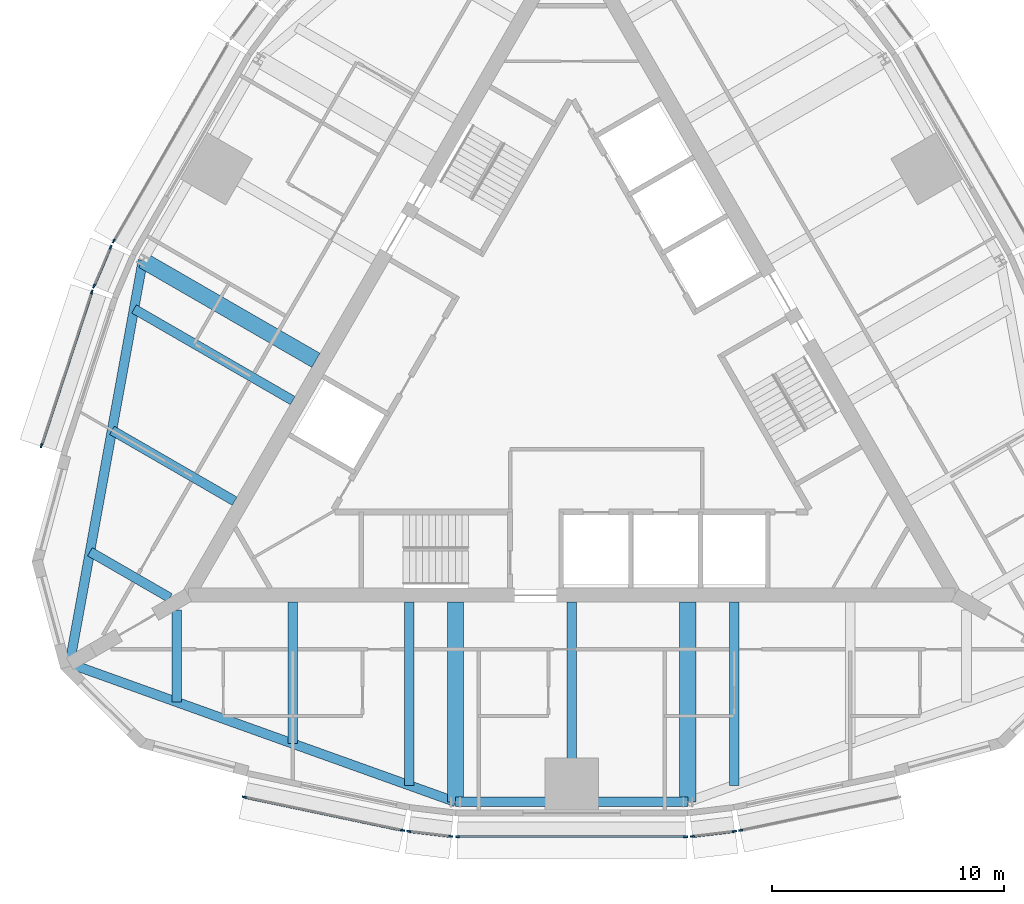
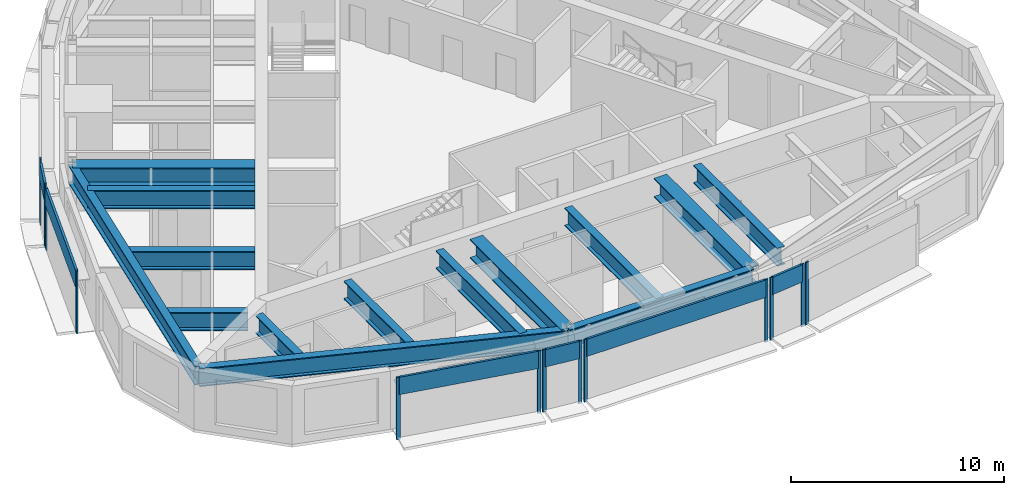
# One storey, part 2 of 12: 20 members, 14 beams, 8 elements without a shape of their own.
"""IFC4 building model written with IfcOpenShell, lengths in metres."""

from ifc_helpers import new_model, si_unit, direction, frame, origin, origin_2d, place, context, subcontext, project, spatial, rectangle, i_section, extrude, material, material_profile, profile_set, type_object, element, aggregate, save


model = new_model("IFC4")

# Units and contexts
model_context = context("Model", 3, precision=1e-05, world=origin(), true_north=direction((0.0, 1.0)))
body_context = subcontext(model_context, "Body", "Model", "MODEL_VIEW")
ifc_project = project(units=[si_unit("LENGTHUNIT", "METRE"), si_unit("AREAUNIT", "SQUARE_METRE"), si_unit("VOLUMEUNIT", "CUBIC_METRE"), si_unit("PLANEANGLEUNIT", "RADIAN"), si_unit("MASSUNIT", "GRAM", prefix="KILO")], contexts=[model_context])

# Site, building, storey
site_placement = place(None, origin())
site = spatial("IfcSite", under=ifc_project, at=site_placement, CompositionType="ELEMENT")
building_placement = place(site_placement, origin())
building = spatial("IfcBuilding", under=site, at=building_placement, Name="Trikona Tower", CompositionType="ELEMENT")
storey_placement = place(building_placement, frame((0.0, 0.0, 271.699951171875)))
storey = spatial("IfcBuildingStorey", under=building, at=storey_placement, Name="L72", CompositionType="ELEMENT", Elevation=271.699951171875)

# Curtain wall, members
ifc_material_1 = material(Name="Aluminium curtain wall system", Category="aluminium")
curtain_wall_type = type_object("IfcCurtainWallType", Name="Curtain wall DS3S", PredefinedType="NOTDEFINED", material=ifc_material_1)
curtain_wall_1_placement = place(storey_placement, origin())
curtain_wall_1 = element("IfcCurtainWall", 1, at=curtain_wall_1_placement, inside=storey, type_object=curtain_wall_type, Name="Curtain wall DS3S L72", PredefinedType="NOTDEFINED")
ifc_material_2 = material(Name="Aluminium mullion, pale anodised", Category="aluminium")
ifc_material_profile_1 = material_profile(ifc_material_2, rectangle(XDim=0.070068359375, YDim=0.179931640625, at=origin_2d()), Name="MUL-DS3S")
ifc_profile_set_1 = profile_set([ifc_material_profile_1], Name="Aluminium mullion, pale anodised")
member_type_1 = type_object("IfcMemberType", Name="Mullion DS3S 70x180", PredefinedType="MULLION", material=ifc_profile_set_1)
member_1_placement = place(storey_placement, frame((-14.092041015625, -18.220703125, 0.0), z_axis=(0.0, 0.0, 1.0), x_axis=(0.205527448396, 0.978651351583, 0.0)))
member_1 = element("IfcMember", 2, at=member_1_placement, type_object=member_type_1, Name="CW-DS3S mullion 1", PredefinedType="MULLION", context=body_context, shape_type="SweptSolid", body=[
    extrude(rectangle(XDim=0.070068359375, YDim=0.179931640625, at=origin_2d()), origin(), (0.0, 0.0, 1.0), 3.60009765625),
])
member_2_placement = place(storey_placement, frame((-7.27783203125, -19.65185546875, 0.0), z_axis=(0.0, 0.0, 1.0), x_axis=(0.205527448396, 0.978651351583, 0.0)))
member_2 = element("IfcMember", 3, at=member_2_placement, type_object=member_type_1, Name="CW-DS3S mullion 2", PredefinedType="MULLION", context=body_context, shape_type="SweptSolid", body=[
    extrude(rectangle(XDim=0.070068359375, YDim=0.179931640625, at=origin_2d()), origin(), (0.0, 0.0, 1.0), 3.60009765625),
])

curtain_wall_2_placement = place(storey_placement, origin())
curtain_wall_2 = element("IfcCurtainWall", 4, at=curtain_wall_2_placement, inside=storey, type_object=curtain_wall_type, Name="Curtain wall DS3S L72", PredefinedType="NOTDEFINED")
member_3_placement = place(storey_placement, frame((-7.012939453125, -19.6953125, 0.0), z_axis=(0.0, 0.0, 1.0), x_axis=(0.119141057581, 0.992877338043, 0.0)))
member_3 = element("IfcMember", 5, at=member_3_placement, type_object=member_type_1, Name="CW-DS3S mullion 1", PredefinedType="MULLION", context=body_context, shape_type="SweptSolid", body=[
    extrude(rectangle(XDim=0.070068359375, YDim=0.179931640625, at=origin_2d()), origin(), (0.0, 0.0, 1.0), 3.60009765625),
])
member_4_placement = place(storey_placement, frame((-5.20166015625, -19.912841796875, 0.0), z_axis=(0.0, 0.0, 1.0), x_axis=(0.119141057581, 0.992877338043, 0.0)))
member_4 = element("IfcMember", 6, at=member_4_placement, type_object=member_type_1, Name="CW-DS3S mullion 2", PredefinedType="MULLION", context=body_context, shape_type="SweptSolid", body=[
    extrude(rectangle(XDim=0.070068359375, YDim=0.179931640625, at=origin_2d()), origin(), (0.0, 0.0, 1.0), 3.60009765625),
])

curtain_wall_3_placement = place(storey_placement, origin())
curtain_wall_3 = element("IfcCurtainWall", 7, at=curtain_wall_3_placement, inside=storey, type_object=curtain_wall_type, Name="Curtain wall DS3S L72", PredefinedType="NOTDEFINED")
member_5_placement = place(storey_placement, frame((-4.905029296875, -19.930419921875, 0.0), z_axis=(0.0, 0.0, 1.0), x_axis=(0.0, 1.0, 0.0)))
member_5 = element("IfcMember", 8, at=member_5_placement, type_object=member_type_1, Name="CW-DS3S mullion 1", PredefinedType="MULLION", context=body_context, shape_type="SweptSolid", body=[
    extrude(rectangle(XDim=0.070068359375, YDim=0.179931640625, at=origin_2d()), origin(), (0.0, 0.0, 1.0), 3.60009765625),
])
member_6_placement = place(storey_placement, frame((4.905029296875, -19.930419921875, 0.0), z_axis=(0.0, 0.0, 1.0), x_axis=(0.0, 1.0, 0.0)))
member_6 = element("IfcMember", 9, at=member_6_placement, type_object=member_type_1, Name="CW-DS3S mullion 2", PredefinedType="MULLION", context=body_context, shape_type="SweptSolid", body=[
    extrude(rectangle(XDim=0.070068359375, YDim=0.179931640625, at=origin_2d()), origin(), (0.0, 0.0, 1.0), 3.60009765625),
])

curtain_wall_4_placement = place(storey_placement, origin())
curtain_wall_4 = element("IfcCurtainWall", 10, at=curtain_wall_4_placement, inside=storey, type_object=curtain_wall_type, Name="Curtain wall DS3S L72", PredefinedType="NOTDEFINED")
member_7_placement = place(storey_placement, frame((5.20166015625, -19.912841796875, 0.0), z_axis=(0.0, 0.0, 1.0), x_axis=(-0.119141057581, 0.992877338043, 0.0)))
member_7 = element("IfcMember", 11, at=member_7_placement, type_object=member_type_1, Name="CW-DS3S mullion 1", PredefinedType="MULLION", context=body_context, shape_type="SweptSolid", body=[
    extrude(rectangle(XDim=0.070068359375, YDim=0.179931640625, at=origin_2d()), origin(), (0.0, 0.0, 1.0), 3.60009765625),
])
member_8_placement = place(storey_placement, frame((7.012939453125, -19.6953125, 0.0), z_axis=(0.0, 0.0, 1.0), x_axis=(-0.119141057581, 0.992877338043, 0.0)))
member_8 = element("IfcMember", 12, at=member_8_placement, type_object=member_type_1, Name="CW-DS3S mullion 2", PredefinedType="MULLION", context=body_context, shape_type="SweptSolid", body=[
    extrude(rectangle(XDim=0.070068359375, YDim=0.179931640625, at=origin_2d()), origin(), (0.0, 0.0, 1.0), 3.60009765625),
])

# Curtain wall, member
curtain_wall_5_placement = place(storey_placement, origin())
curtain_wall_5 = element("IfcCurtainWall", 13, at=curtain_wall_5_placement, inside=storey, type_object=curtain_wall_type, Name="Curtain wall DS3S L72", PredefinedType="NOTDEFINED")
member_9_placement = place(storey_placement, frame((7.27783203125, -19.65185546875, 0.0), z_axis=(0.0, 0.0, 1.0), x_axis=(-0.205527448396, 0.978651351583, 0.0)))
member_9 = element("IfcMember", 14, at=member_9_placement, type_object=member_type_1, Name="CW-DS3S mullion 1", PredefinedType="MULLION", context=body_context, shape_type="SweptSolid", body=[
    extrude(rectangle(XDim=0.070068359375, YDim=0.179931640625, at=origin_2d()), origin(), (0.0, 0.0, 1.0), 3.60009765625),
])
aggregate(curtain_wall_5, [member_9])

curtain_wall_6_placement = place(storey_placement, origin())
curtain_wall_6 = element("IfcCurtainWall", 15, at=curtain_wall_6_placement, inside=storey, type_object=curtain_wall_type, Name="Curtain wall DS3S L72", PredefinedType="NOTDEFINED")
member_10_placement = place(storey_placement, frame((-19.712890625, 5.717529296875, 0.0), z_axis=(0.0, 0.0, 1.0), x_axis=(0.866024619633, -0.500001358187, 0.0)))
member_10 = element("IfcMember", 16, at=member_10_placement, type_object=member_type_1, Name="CW-DS3S mullion 2", PredefinedType="MULLION", context=body_context, shape_type="SweptSolid", body=[
    extrude(rectangle(XDim=0.070068359375, YDim=0.179931640625, at=origin_2d()), origin(), (0.0, 0.0, 1.0), 3.60009765625),
])
aggregate(curtain_wall_6, [member_10])

# Curtain wall, members
curtain_wall_7_placement = place(storey_placement, origin())
curtain_wall_7 = element("IfcCurtainWall", 17, at=curtain_wall_7_placement, inside=storey, type_object=curtain_wall_type, Name="Curtain wall DS3S L72", PredefinedType="NOTDEFINED")
member_11_placement = place(storey_placement, frame((-19.845703125, 5.45166015625, 0.0), z_axis=(0.0, 0.0, 1.0), x_axis=(0.919420580163, -0.393275726143, 0.0)))
member_11 = element("IfcMember", 18, at=member_11_placement, type_object=member_type_1, Name="CW-DS3S mullion 1", PredefinedType="MULLION", context=body_context, shape_type="SweptSolid", body=[
    extrude(rectangle(XDim=0.070068359375, YDim=0.179931640625, at=origin_2d()), origin(), (0.0, 0.0, 1.0), 3.60009765625),
])
member_12_placement = place(storey_placement, frame((-20.563232421875, 3.7744140625, 0.0), z_axis=(0.0, 0.0, 1.0), x_axis=(0.919420580163, -0.393275726143, 0.0)))
member_12 = element("IfcMember", 19, at=member_12_placement, type_object=member_type_1, Name="CW-DS3S mullion 2", PredefinedType="MULLION", context=body_context, shape_type="SweptSolid", body=[
    extrude(rectangle(XDim=0.070068359375, YDim=0.179931640625, at=origin_2d()), origin(), (0.0, 0.0, 1.0), 3.60009765625),
])

curtain_wall_8_placement = place(storey_placement, origin())
curtain_wall_8 = element("IfcCurtainWall", 20, at=curtain_wall_8_placement, inside=storey, type_object=curtain_wall_type, Name="Curtain wall DS3S L72", PredefinedType="NOTDEFINED")
member_13_placement = place(storey_placement, frame((-20.657958984375, 3.52294921875, 0.0), z_axis=(0.0, 0.0, 1.0), x_axis=(0.95029742275, -0.311343553515, 0.0)))
member_13 = element("IfcMember", 21, at=member_13_placement, type_object=member_type_1, Name="CW-DS3S mullion 1", PredefinedType="MULLION", context=body_context, shape_type="SweptSolid", body=[
    extrude(rectangle(XDim=0.070068359375, YDim=0.179931640625, at=origin_2d()), origin(), (0.0, 0.0, 1.0), 3.60009765625),
])
member_14_placement = place(storey_placement, frame((-22.82568359375, -3.09375, 0.0), z_axis=(0.0, 0.0, 1.0), x_axis=(0.95029742275, -0.311343553515, 0.0)))
member_14 = element("IfcMember", 22, at=member_14_placement, type_object=member_type_1, Name="CW-DS3S mullion 2", PredefinedType="MULLION", context=body_context, shape_type="SweptSolid", body=[
    extrude(rectangle(XDim=0.070068359375, YDim=0.179931640625, at=origin_2d()), origin(), (0.0, 0.0, 1.0), 3.60009765625),
])

# Beams
ifc_material_3 = material(Name="Steel ASTM A992 Grade 50", Category="steel")
ifc_material_profile_2 = material_profile(ifc_material_3, i_section(OverallWidth=0.699951171875, OverallDepth=1.10009765625, WebThickness=0.0400390625, FlangeThickness=0.06005859375, at=origin_2d()), Name="PG1100X700")
ifc_profile_set_2 = profile_set([ifc_material_profile_2], Name="Steel ASTM A992 Grade 50")
beam_type_1 = type_object("IfcBeamType", Name="Steel beam PG1100x700 (belt chord radial)", PredefinedType="BEAM", material=ifc_profile_set_2)
for number, where, z_axis, x_axis, name in (
    (23, (-5.0, -9.826416015625, 2.800048828125), (0.0, -1.0, 0.0), (1.0, 0.0, 0.0), "Floor beam L73 F1 u-5"),
    (24, (5.0, -9.826416015625, 2.800048828125), (0.0, -1.0, 0.0), (1.0, 0.0, 0.0), "Floor beam L73 F1 u5"),
    (25, (-11.009765625, 0.5830078125, 2.800048828125), (-0.866029182723, 0.49999345463, 0.0), (-0.49999345463, -0.866029182723, 0.0), "Floor beam L73 F3 u5"),
):
    element("IfcBeam", number, at=place(storey_placement, frame(where, z_axis=z_axis, x_axis=x_axis)), inside=storey, type_object=beam_type_1, Name=name, PredefinedType="BEAM", context=body_context, shape_type="SweptSolid", body=[
        extrude(i_section(OverallWidth=0.699951171875, OverallDepth=1.10009765625, WebThickness=0.0400390625, FlangeThickness=0.06005859375, at=origin_2d()), origin(), (0.0, 0.0, 1.0), 8.60400390625),
    ])
ifc_material_4 = material(Name="Steel ASTM A992 Grade 50", Category="steel")
ifc_material_profile_3 = material_profile(ifc_material_4, i_section(OverallWidth=0.408935546875, OverallDepth=1.04150390625, WebThickness=0.031005859375, FlangeThickness=0.055908203125, at=origin_2d()), Name="W40X397")
ifc_profile_set_3 = profile_set([ifc_material_profile_3], Name="Steel ASTM A992 Grade 50")
beam_type_2 = type_object("IfcBeamType", Name="Steel beam W40x397 (plant spandrel)", PredefinedType="SPANDREL", material=ifc_profile_set_3)
beam_1_placement = place(storey_placement, frame((-21.6103515625, -12.476806640625, 2.829345703125), z_axis=(0.941358144832, -0.337409014637, 0.0), x_axis=(0.337409014637, 0.941358144832, 0.0)))
element("IfcBeam", 26, at=beam_1_placement, inside=storey, type_object=beam_type_2, Name="Spandrel beam L73 F1-1", PredefinedType="SPANDREL", context=body_context, shape_type="SweptSolid", body=[
    extrude(i_section(OverallWidth=0.408935546875, OverallDepth=1.04150390625, WebThickness=0.031005859375, FlangeThickness=0.055908203125, at=origin_2d()), origin(), (0.0, 0.0, 1.0), 17.64501953125),
])
beam_2_placement = place(storey_placement, frame((-5.0, -18.430419921875, 2.829345703125), z_axis=(1.0, 0.0, 0.0), x_axis=(0.0, 1.0, 0.0)))
element("IfcBeam", 27, at=beam_2_placement, inside=storey, type_object=beam_type_2, Name="Spandrel beam L73 F1-2", PredefinedType="SPANDREL", context=body_context, shape_type="SweptSolid", body=[
    extrude(i_section(OverallWidth=0.408935546875, OverallDepth=1.04150390625, WebThickness=0.031005859375, FlangeThickness=0.055908203125, at=origin_2d()), origin(), (0.0, 0.0, 1.0), 10.0),
])
beam_3_placement = place(storey_placement, frame((-18.461181640625, 4.885009765625, 2.829345703125), z_axis=(-0.178472662054, -0.983944870864, 0.0), x_axis=(0.983944870864, -0.178472662054, 0.0)))
element("IfcBeam", 28, at=beam_3_placement, inside=storey, type_object=beam_type_2, Name="Spandrel beam L73 F3-3", PredefinedType="SPANDREL", context=body_context, shape_type="SweptSolid", body=[
    extrude(i_section(OverallWidth=0.408935546875, OverallDepth=1.04150390625, WebThickness=0.031005859375, FlangeThickness=0.055908203125, at=origin_2d()), origin(), (0.0, 0.0, 1.0), 17.64501953125),
])
ifc_material_5 = material(Name="Steel ASTM A992 Grade 50", Category="steel")
ifc_material_profile_4 = material_profile(ifc_material_5, i_section(OverallWidth=0.408935546875, OverallDepth=1.04150390625, WebThickness=0.031005859375, FlangeThickness=0.055908203125, at=origin_2d()), Name="W40X397")
ifc_profile_set_4 = profile_set([ifc_material_profile_4], Name="Steel ASTM A992 Grade 50")
beam_type_3 = type_object("IfcBeamType", Name="Steel beam W40x397 (plant)", PredefinedType="BEAM", material=ifc_profile_set_4)
beam_4_placement = place(storey_placement, frame((-7.0, -9.826416015625, 2.829345703125), z_axis=(0.0, -1.0, 0.0), x_axis=(1.0, 0.0, 0.0)))
element("IfcBeam", 29, at=beam_4_placement, inside=storey, type_object=beam_type_3, Name="Floor beam L73 F1 u-7", PredefinedType="BEAM", context=body_context, shape_type="SweptSolid", body=[
    extrude(i_section(OverallWidth=0.408935546875, OverallDepth=1.04150390625, WebThickness=0.031005859375, FlangeThickness=0.055908203125, at=origin_2d()), origin(), (0.0, 0.0, 1.0), 7.88720703125),
])
beam_5_placement = place(storey_placement, frame((0.0, -9.826416015625, 2.829345703125), z_axis=(0.0, -1.0, 0.0), x_axis=(1.0, 0.0, 0.0)))
element("IfcBeam", 30, at=beam_5_placement, inside=storey, type_object=beam_type_3, Name="Floor beam L73 F1 u0", PredefinedType="BEAM", context=body_context, shape_type="SweptSolid", body=[
    extrude(i_section(OverallWidth=0.408935546875, OverallDepth=1.04150390625, WebThickness=0.031005859375, FlangeThickness=0.055908203125, at=origin_2d()), origin(), (0.0, 0.0, 1.0), 8.60400390625),
])
beam_6_placement = place(storey_placement, frame((7.0, -9.826416015625, 2.829345703125), z_axis=(0.0, -1.0, 0.0), x_axis=(1.0, 0.0, 0.0)))
element("IfcBeam", 31, at=beam_6_placement, inside=storey, type_object=beam_type_3, Name="Floor beam L73 F1 u7", PredefinedType="BEAM", context=body_context, shape_type="SweptSolid", body=[
    extrude(i_section(OverallWidth=0.408935546875, OverallDepth=1.04150390625, WebThickness=0.031005859375, FlangeThickness=0.055908203125, at=origin_2d()), origin(), (0.0, 0.0, 1.0), 7.88720703125),
])
beam_7_placement = place(storey_placement, frame((-12.009765625, -1.14892578125, 2.829345703125), z_axis=(-0.866034560358, 0.499984140014, 0.0), x_axis=(-0.499984140014, -0.866034560358, 0.0)))
element("IfcBeam", 32, at=beam_7_placement, inside=storey, type_object=beam_type_3, Name="Floor beam L73 F3 u7", PredefinedType="BEAM", context=body_context, shape_type="SweptSolid", body=[
    extrude(i_section(OverallWidth=0.408935546875, OverallDepth=1.04150390625, WebThickness=0.031005859375, FlangeThickness=0.055908203125, at=origin_2d()), origin(), (0.0, 0.0, 1.0), 7.887451171875),
])
ifc_material_6 = material(Name="Steel ASTM A992 Grade 50", Category="steel")
ifc_material_profile_5 = material_profile(ifc_material_6, i_section(OverallWidth=0.411376953125, OverallDepth=1.049072265625, WebThickness=0.033935546875, FlangeThickness=0.06005859375, at=origin_2d()), Name="W40X431")
ifc_profile_set_5 = profile_set([ifc_material_profile_5], Name="Steel ASTM A992 Grade 50")
beam_type_4 = type_object("IfcBeamType", Name="Steel beam W40x431 (plant wedge)", PredefinedType="BEAM", material=ifc_profile_set_5)
beam_8_placement = place(storey_placement, frame((-17.0, -10.161376953125, 2.825439453125), z_axis=(0.0, -1.0, 0.0), x_axis=(1.0, 0.0, 0.0)))
element("IfcBeam", 33, at=beam_8_placement, inside=storey, type_object=beam_type_4, Name="Floor beam L73 F1 u-17", PredefinedType="BEAM", context=body_context, shape_type="SweptSolid", body=[
    extrude(i_section(OverallWidth=0.411376953125, OverallDepth=1.049072265625, WebThickness=0.033935546875, FlangeThickness=0.06005859375, at=origin_2d()), origin(), (0.0, 0.0, 1.0), 3.9677734375),
])
beam_9_placement = place(storey_placement, frame((-12.0, -9.826416015625, 2.825439453125), z_axis=(0.0, -1.0, 0.0), x_axis=(1.0, 0.0, 0.0)))
element("IfcBeam", 34, at=beam_9_placement, inside=storey, type_object=beam_type_4, Name="Floor beam L73 F1 u-12", PredefinedType="BEAM", context=body_context, shape_type="SweptSolid", body=[
    extrude(i_section(OverallWidth=0.411376953125, OverallDepth=1.049072265625, WebThickness=0.033935546875, FlangeThickness=0.06005859375, at=origin_2d()), origin(), (0.0, 0.0, 1.0), 6.094970703125),
])
beam_10_placement = place(storey_placement, frame((-14.509765625, -5.479248046875, 2.825439453125), z_axis=(-0.866023498866, 0.500003299401, 0.0), x_axis=(-0.500003299401, -0.866023498866, 0.0)))
element("IfcBeam", 35, at=beam_10_placement, inside=storey, type_object=beam_type_4, Name="Floor beam L73 F3 u12", PredefinedType="BEAM", context=body_context, shape_type="SweptSolid", body=[
    extrude(i_section(OverallWidth=0.411376953125, OverallDepth=1.049072265625, WebThickness=0.033935546875, FlangeThickness=0.06005859375, at=origin_2d()), origin(), (0.0, 0.0, 1.0), 6.09521484375),
])
beam_11_placement = place(storey_placement, frame((-17.300048828125, -9.6416015625, 2.825439453125), z_axis=(-0.866030866614, 0.499990537983, 0.0), x_axis=(-0.499990537983, -0.866030866614, 0.0)))
element("IfcBeam", 36, at=beam_11_placement, inside=storey, type_object=beam_type_4, Name="Floor beam L73 F3 u17", PredefinedType="BEAM", context=body_context, shape_type="SweptSolid", body=[
    extrude(i_section(OverallWidth=0.411376953125, OverallDepth=1.049072265625, WebThickness=0.033935546875, FlangeThickness=0.06005859375, at=origin_2d()), origin(), (0.0, 0.0, 1.0), 3.9677734375),
])

# Member
ifc_material_7 = material(Name="Aluminium transom, pale anodised", Category="aluminium")
ifc_material_profile_6 = material_profile(ifc_material_7, rectangle(XDim=0.1201171875, YDim=1.0, at=origin_2d()), Name="TRN-DS3S")
ifc_profile_set_6 = profile_set([ifc_material_profile_6], Name="Aluminium transom, pale anodised")
member_type_2 = type_object("IfcMemberType", Name="Transom DS3S 1000x120", PredefinedType="USERDEFINED", material=ifc_profile_set_6)
member_15_placement = place(storey_placement, frame((-14.0576171875, -18.22802734375, 3.10009765625), z_axis=(0.978654137783, -0.205514181021, 0.0), x_axis=(0.205514181021, 0.978654137783, 0.0)))
member_15 = element("IfcMember", 37, at=member_15_placement, type_object=member_type_2, Name="CW-DS3S transom 1.1", ObjectType="TRANSOM", PredefinedType="USERDEFINED", context=body_context, shape_type="SweptSolid", body=[
    extrude(rectangle(XDim=0.1201171875, YDim=1.0, at=origin_2d()), origin(), (0.0, 0.0, 1.0), 6.892578125),
])

aggregate(curtain_wall_1, [member_1, member_2, member_15])

member_16_placement = place(storey_placement, frame((-6.978271484375, -19.699462890625, 3.10009765625), z_axis=(0.992880130449, -0.119117784396, 0.0), x_axis=(0.119117784396, 0.992880130449, 0.0)))
member_16 = element("IfcMember", 38, at=member_16_placement, type_object=member_type_2, Name="CW-DS3S transom 1.1", ObjectType="TRANSOM", PredefinedType="USERDEFINED", context=body_context, shape_type="SweptSolid", body=[
    extrude(rectangle(XDim=0.1201171875, YDim=1.0, at=origin_2d()), origin(), (0.0, 0.0, 1.0), 1.75439453125),
])

aggregate(curtain_wall_2, [member_3, member_4, member_16])

member_17_placement = place(storey_placement, frame((-4.8701171875, -19.930419921875, 3.10009765625), z_axis=(1.0, 0.0, 0.0), x_axis=(0.0, 1.0, 0.0)))
member_17 = element("IfcMember", 39, at=member_17_placement, type_object=member_type_2, Name="CW-DS3S transom 1.1", ObjectType="TRANSOM", PredefinedType="USERDEFINED", context=body_context, shape_type="SweptSolid", body=[
    extrude(rectangle(XDim=0.1201171875, YDim=1.0, at=origin_2d()), origin(), (0.0, 0.0, 1.0), 9.740234375),
])

aggregate(curtain_wall_3, [member_5, member_6, member_17])

member_18_placement = place(storey_placement, frame((5.236328125, -19.908447265625, 3.10009765625), z_axis=(0.992880130449, 0.119117784396, 0.0), x_axis=(-0.119117784396, 0.992880130449, 0.0)))
member_18 = element("IfcMember", 40, at=member_18_placement, type_object=member_type_2, Name="CW-DS3S transom 1.1", ObjectType="TRANSOM", PredefinedType="USERDEFINED", context=body_context, shape_type="SweptSolid", body=[
    extrude(rectangle(XDim=0.1201171875, YDim=1.0, at=origin_2d()), origin(), (0.0, 0.0, 1.0), 1.75439453125),
])

aggregate(curtain_wall_4, [member_7, member_8, member_18])

member_19_placement = place(storey_placement, frame((-19.859619140625, 5.41943359375, 3.10009765625), z_axis=(-0.393314512783, -0.919403988481, 0.0), x_axis=(0.919403988481, -0.393314512783, 0.0)))
member_19 = element("IfcMember", 41, at=member_19_placement, type_object=member_type_2, Name="CW-DS3S transom 1.1", ObjectType="TRANSOM", PredefinedType="USERDEFINED", context=body_context, shape_type="SweptSolid", body=[
    extrude(rectangle(XDim=0.1201171875, YDim=1.0, at=origin_2d()), origin(), (0.0, 0.0, 1.0), 1.754150390625),
])

aggregate(curtain_wall_7, [member_11, member_12, member_19])

member_20_placement = place(storey_placement, frame((-20.668701171875, 3.48974609375, 3.10009765625), z_axis=(-0.311346184, -0.950296560926, 0.0), x_axis=(0.950296560926, -0.311346184, 0.0)))
member_20 = element("IfcMember", 42, at=member_20_placement, type_object=member_type_2, Name="CW-DS3S transom 1.1", ObjectType="TRANSOM", PredefinedType="USERDEFINED", context=body_context, shape_type="SweptSolid", body=[
    extrude(rectangle(XDim=0.1201171875, YDim=1.0, at=origin_2d()), origin(), (0.0, 0.0, 1.0), 6.892578125),
])

aggregate(curtain_wall_8, [member_13, member_14, member_20])

save(model, "model.ifc")
